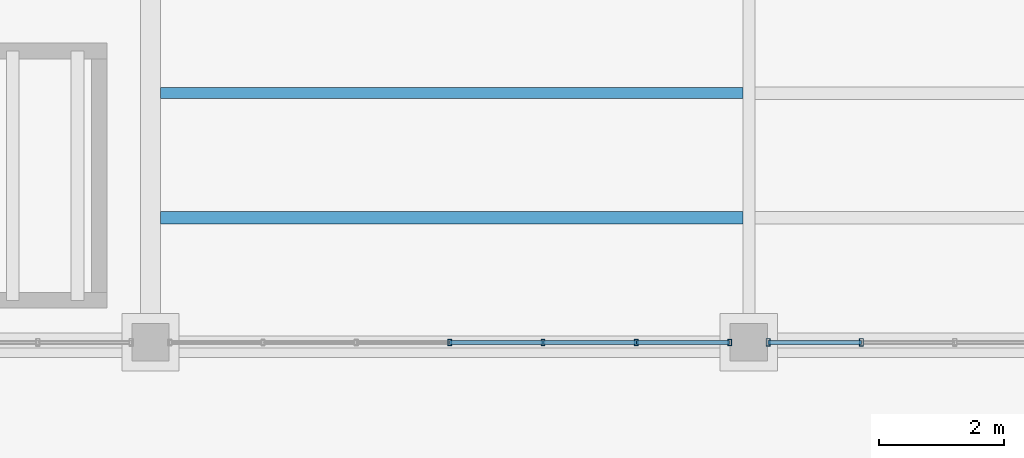
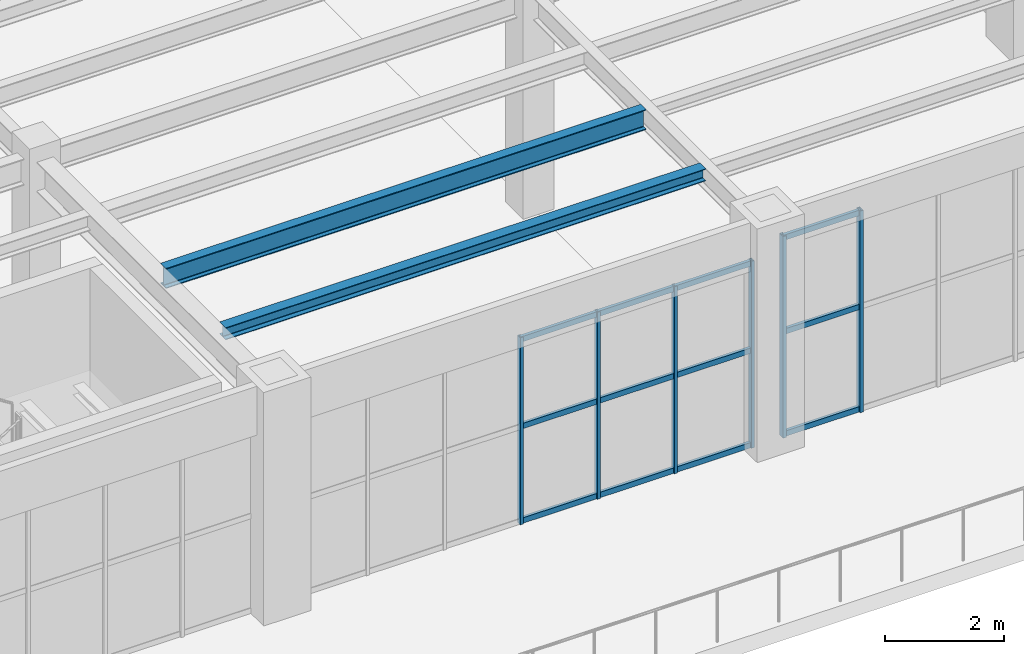
# One storey, part 35 of 83: 18 members, 2 beams, 2 elements without a shape of their own.
"""IFC4 building model written with IfcOpenShell, lengths in metres."""

from ifc_helpers import new_model, si_unit, direction, frame, origin, origin_2d, place, context, subcontext, project, spatial, hollow_rectangle, i_section, extrude, material, material_profile, profile_set, type_object, element, aggregate, save


model = new_model("IFC4")

# Units and contexts
model_context = context("Model", 3, precision=1e-05, world=origin(), true_north=direction((0.0, 1.0)))
body_context = subcontext(model_context, "Body", "Model", "MODEL_VIEW")
ifc_project = project(units=[si_unit("LENGTHUNIT", "METRE"), si_unit("AREAUNIT", "SQUARE_METRE"), si_unit("VOLUMEUNIT", "CUBIC_METRE"), si_unit("PLANEANGLEUNIT", "RADIAN"), si_unit("MASSUNIT", "GRAM", prefix="KILO")], contexts=[model_context])

# Site, building, storey
site_placement = place(None, origin())
site = spatial("IfcSite", under=ifc_project, at=site_placement, CompositionType="ELEMENT")
building_placement = place(site_placement, origin())
building = spatial("IfcBuilding", under=site, at=building_placement, Name="Mavantir Sound Aquarium", CompositionType="ELEMENT")
storey_placement = place(building_placement, frame((0.0, 0.0, 10.5)))
storey = spatial("IfcBuildingStorey", under=building, at=storey_placement, Name="L02", CompositionType="ELEMENT", Elevation=10.5)

# Beams
ifc_material_1 = material(Name="Structural Steel ASTM A992 Gr50", Category="steel")
ifc_material_profile_1 = material_profile(ifc_material_1, i_section(OverallWidth=0.202880859375, OverallDepth=0.251953125, WebThickness=0.008056640625, FlangeThickness=0.013427734375, FilletRadius=0.011962890625, at=origin_2d()), Name="W250X58")
ifc_profile_set_1 = profile_set([ifc_material_profile_1], Name="Structural Steel ASTM A992 Gr50")
beam_type_1 = type_object("IfcBeamType", Name="BM-W250X58-I", PredefinedType="JOIST", material=ifc_profile_set_1)
beam_1_placement = place(storey_placement, frame((156.162109375, 42.800048828125, 4.360107421875), z_axis=(1.0, 0.0, 0.0), x_axis=(0.0, 1.0, 0.0)))
element("IfcBeam", 1, at=beam_1_placement, inside=storey, type_object=beam_type_1, Name="L02 secondary floor joist SJ-25 900", PredefinedType="JOIST", context=body_context, shape_type="SweptSolid", body=[
    extrude(i_section(OverallWidth=0.202880859375, OverallDepth=0.251953125, WebThickness=0.008056640625, FlangeThickness=0.013427734375, FilletRadius=0.011962890625, at=origin_2d()), origin(), (0.0, 0.0, 1.0), 9.3408203125),
])
ifc_material_profile_2 = material_profile(ifc_material_1, i_section(OverallWidth=0.180908203125, OverallDepth=0.4169921875, WebThickness=0.010986328125, FlangeThickness=0.018310546875, FilletRadius=0.014892578125, at=origin_2d()), Name="W410X85")
ifc_profile_set_2 = profile_set([ifc_material_profile_2], Name="Structural Steel ASTM A992 Gr50")
beam_type_2 = type_object("IfcBeamType", Name="BM-W410X85-I", PredefinedType="JOIST", material=ifc_profile_set_2)
beam_2_placement = place(storey_placement, frame((156.162109375, 44.800048828125, 4.277587890625), z_axis=(1.0, 0.0, 0.0), x_axis=(0.0, 1.0, 0.0)))
element("IfcBeam", 2, at=beam_2_placement, inside=storey, type_object=beam_type_2, Name="L02 secondary floor joist SJ-41 901", PredefinedType="JOIST", context=body_context, shape_type="SweptSolid", body=[
    extrude(i_section(OverallWidth=0.180908203125, OverallDepth=0.4169921875, WebThickness=0.010986328125, FlangeThickness=0.018310546875, FilletRadius=0.014892578125, at=origin_2d()), origin(), (0.0, 0.0, 1.0), 9.3408203125),
])

# Curtain wall, members
ifc_material_2 = material(Name="Anodised Marine Aluminium and Low-E Glass", Category="aluminium")
curtain_wall_type_1 = type_object("IfcCurtainWallType", Name="CW-T17", PredefinedType="USERDEFINED", material=ifc_material_2)
curtain_wall_1_placement = place(storey_placement, origin())
curtain_wall_1 = element("IfcCurtainWall", 3, at=curtain_wall_1_placement, inside=storey, type_object=curtain_wall_type_1, Name="L02 unitised curtain wall CW-17 137", ObjectType="UNITISED GLAZING", PredefinedType="USERDEFINED")
ifc_material_3 = material(Name="Anodised Marine Aluminium 6063-T6", Category="aluminium")
ifc_material_profile_3 = material_profile(ifc_material_3, hollow_rectangle(XDim=0.06005859375, YDim=0.10009765625, WallThickness=0.00390625, at=origin_2d()), Name="ALU-MULLION-100X60")
ifc_profile_set_3 = profile_set([ifc_material_profile_3], Name="Anodised Marine Aluminium 6063-T6")
member_type_1 = type_object("IfcMemberType", Name="CW-MUL-100", PredefinedType="MULLION", material=ifc_profile_set_3)
member_1_placement = place(storey_placement, frame((160.800048828125, 40.800048828125, 0.0), z_axis=(0.0, 0.0, 1.0), x_axis=(1.0, 0.0, 0.0)))
member_1 = element("IfcMember", 4, at=member_1_placement, type_object=member_type_1, Name="CW-L02-137 vertical mullion 4", PredefinedType="MULLION", context=body_context, shape_type="SweptSolid", body=[
    extrude(hollow_rectangle(XDim=0.06005859375, YDim=0.10009765625, WallThickness=0.00390625, at=origin_2d()), origin(), (0.0, 0.0, 1.0), 3.844970703125),
])
member_2_placement = place(storey_placement, frame((162.29736328125, 40.800048828125, 0.0), z_axis=(0.0, 0.0, 1.0), x_axis=(1.0, 0.0, 0.0)))
member_2 = element("IfcMember", 5, at=member_2_placement, type_object=member_type_1, Name="CW-L02-137 vertical mullion 5", PredefinedType="MULLION", context=body_context, shape_type="SweptSolid", body=[
    extrude(hollow_rectangle(XDim=0.06005859375, YDim=0.10009765625, WallThickness=0.00390625, at=origin_2d()), origin(), (0.0, 0.0, 1.0), 3.844970703125),
])
member_3_placement = place(storey_placement, frame((163.794677734375, 40.800048828125, 0.0), z_axis=(0.0, 0.0, 1.0), x_axis=(1.0, 0.0, 0.0)))
member_3 = element("IfcMember", 6, at=member_3_placement, type_object=member_type_1, Name="CW-L02-137 vertical mullion 6", PredefinedType="MULLION", context=body_context, shape_type="SweptSolid", body=[
    extrude(hollow_rectangle(XDim=0.06005859375, YDim=0.10009765625, WallThickness=0.00390625, at=origin_2d()), origin(), (0.0, 0.0, 1.0), 3.844970703125),
])
member_4_placement = place(storey_placement, frame((165.2919921875, 40.800048828125, 0.0), z_axis=(0.0, 0.0, 1.0), x_axis=(1.0, 0.0, 0.0)))
member_4 = element("IfcMember", 7, at=member_4_placement, type_object=member_type_1, Name="CW-L02-137 vertical mullion 7", PredefinedType="MULLION", context=body_context, shape_type="SweptSolid", body=[
    extrude(hollow_rectangle(XDim=0.06005859375, YDim=0.10009765625, WallThickness=0.00390625, at=origin_2d()), origin(), (0.0, 0.0, 1.0), 3.844970703125),
])

curtain_wall_type_2 = type_object("IfcCurtainWallType", Name="CW-T18", PredefinedType="USERDEFINED", material=ifc_material_2)
curtain_wall_2_placement = place(storey_placement, origin())
curtain_wall_2 = element("IfcCurtainWall", 8, at=curtain_wall_2_placement, inside=storey, type_object=curtain_wall_type_2, Name="L02 unitised curtain wall CW-18 138", ObjectType="UNITISED GLAZING", PredefinedType="USERDEFINED")
ifc_material_profile_4 = material_profile(ifc_material_3, hollow_rectangle(XDim=0.06494140625, YDim=0.1201171875, WallThickness=0.00390625, at=origin_2d()), Name="ALU-MULLION-120X65")
ifc_profile_set_4 = profile_set([ifc_material_profile_4], Name="Anodised Marine Aluminium 6063-T6")
member_type_2 = type_object("IfcMemberType", Name="CW-MUL-120", PredefinedType="MULLION", material=ifc_profile_set_4)
member_5_placement = place(storey_placement, frame((165.907958984375, 40.800048828125, 0.0), z_axis=(0.0, 0.0, 1.0), x_axis=(1.0, 0.0, 0.0)))
member_5 = element("IfcMember", 9, at=member_5_placement, type_object=member_type_2, Name="CW-L02-138 vertical mullion 1", PredefinedType="MULLION", context=body_context, shape_type="SweptSolid", body=[
    extrude(hollow_rectangle(XDim=0.06494140625, YDim=0.1201171875, WallThickness=0.00390625, at=origin_2d()), origin(), (0.0, 0.0, 1.0), 4.14794921875),
])
member_6_placement = place(storey_placement, frame((167.4052734375, 40.800048828125, 0.0), z_axis=(0.0, 0.0, 1.0), x_axis=(1.0, 0.0, 0.0)))
member_6 = element("IfcMember", 10, at=member_6_placement, type_object=member_type_2, Name="CW-L02-138 vertical mullion 2", PredefinedType="MULLION", context=body_context, shape_type="SweptSolid", body=[
    extrude(hollow_rectangle(XDim=0.06494140625, YDim=0.1201171875, WallThickness=0.00390625, at=origin_2d()), origin(), (0.0, 0.0, 1.0), 4.14794921875),
])

# Member
ifc_material_profile_5 = material_profile(ifc_material_3, hollow_rectangle(XDim=0.06005859375, YDim=0.110107421875, WallThickness=0.00390625, at=origin_2d()), Name="ALU-TRANSOM-110X60")
ifc_profile_set_5 = profile_set([ifc_material_profile_5], Name="Anodised Marine Aluminium 6063-T6")
member_type_3 = type_object("IfcMemberType", Name="CW-TRN-110", PredefinedType="USERDEFINED", material=ifc_profile_set_5)
member_7_placement = place(storey_placement, frame((160.800048828125, 40.800048828125, 0.054931640625), z_axis=(1.0, 0.0, 0.0), x_axis=(0.0, 1.0, 0.0)))
member_7 = element("IfcMember", 11, at=member_7_placement, type_object=member_type_3, Name="CW-L02-137 transom 4.1", ObjectType="TRANSOM", PredefinedType="USERDEFINED", context=body_context, shape_type="SweptSolid", body=[
    extrude(hollow_rectangle(XDim=0.06005859375, YDim=0.110107421875, WallThickness=0.00390625, at=origin_2d()), origin(), (0.0, 0.0, 1.0), 1.497314453125),
])

member_8_placement = place(storey_placement, frame((160.800048828125, 40.800048828125, 1.99951171875), z_axis=(1.0, 0.0, 0.0), x_axis=(0.0, 1.0, 0.0)))
member_8 = element("IfcMember", 12, at=member_8_placement, type_object=member_type_3, Name="CW-L02-137 transom 4.2", ObjectType="TRANSOM", PredefinedType="USERDEFINED", context=body_context, shape_type="SweptSolid", body=[
    extrude(hollow_rectangle(XDim=0.06005859375, YDim=0.110107421875, WallThickness=0.00390625, at=origin_2d()), origin(), (0.0, 0.0, 1.0), 1.497314453125),
])

member_9_placement = place(storey_placement, frame((160.800048828125, 40.800048828125, 3.7900390625), z_axis=(1.0, 0.0, 0.0), x_axis=(0.0, 1.0, 0.0)))
member_9 = element("IfcMember", 13, at=member_9_placement, type_object=member_type_3, Name="CW-L02-137 transom 4.3", ObjectType="TRANSOM", PredefinedType="USERDEFINED", context=body_context, shape_type="SweptSolid", body=[
    extrude(hollow_rectangle(XDim=0.06005859375, YDim=0.110107421875, WallThickness=0.00390625, at=origin_2d()), origin(), (0.0, 0.0, 1.0), 1.497314453125),
])

member_10_placement = place(storey_placement, frame((162.29736328125, 40.800048828125, 0.054931640625), z_axis=(1.0, 0.0, 0.0), x_axis=(0.0, 1.0, 0.0)))
member_10 = element("IfcMember", 14, at=member_10_placement, type_object=member_type_3, Name="CW-L02-137 transom 5.1", ObjectType="TRANSOM", PredefinedType="USERDEFINED", context=body_context, shape_type="SweptSolid", body=[
    extrude(hollow_rectangle(XDim=0.06005859375, YDim=0.110107421875, WallThickness=0.00390625, at=origin_2d()), origin(), (0.0, 0.0, 1.0), 1.497314453125),
])

member_11_placement = place(storey_placement, frame((162.29736328125, 40.800048828125, 1.99951171875), z_axis=(1.0, 0.0, 0.0), x_axis=(0.0, 1.0, 0.0)))
member_11 = element("IfcMember", 15, at=member_11_placement, type_object=member_type_3, Name="CW-L02-137 transom 5.2", ObjectType="TRANSOM", PredefinedType="USERDEFINED", context=body_context, shape_type="SweptSolid", body=[
    extrude(hollow_rectangle(XDim=0.06005859375, YDim=0.110107421875, WallThickness=0.00390625, at=origin_2d()), origin(), (0.0, 0.0, 1.0), 1.497314453125),
])

member_12_placement = place(storey_placement, frame((162.29736328125, 40.800048828125, 3.7900390625), z_axis=(1.0, 0.0, 0.0), x_axis=(0.0, 1.0, 0.0)))
member_12 = element("IfcMember", 16, at=member_12_placement, type_object=member_type_3, Name="CW-L02-137 transom 5.3", ObjectType="TRANSOM", PredefinedType="USERDEFINED", context=body_context, shape_type="SweptSolid", body=[
    extrude(hollow_rectangle(XDim=0.06005859375, YDim=0.110107421875, WallThickness=0.00390625, at=origin_2d()), origin(), (0.0, 0.0, 1.0), 1.497314453125),
])

member_13_placement = place(storey_placement, frame((163.794677734375, 40.800048828125, 0.054931640625), z_axis=(1.0, 0.0, 0.0), x_axis=(0.0, 1.0, 0.0)))
member_13 = element("IfcMember", 17, at=member_13_placement, type_object=member_type_3, Name="CW-L02-137 transom 6.1", ObjectType="TRANSOM", PredefinedType="USERDEFINED", context=body_context, shape_type="SweptSolid", body=[
    extrude(hollow_rectangle(XDim=0.06005859375, YDim=0.110107421875, WallThickness=0.00390625, at=origin_2d()), origin(), (0.0, 0.0, 1.0), 1.497314453125),
])

member_14_placement = place(storey_placement, frame((163.794677734375, 40.800048828125, 1.99951171875), z_axis=(1.0, 0.0, 0.0), x_axis=(0.0, 1.0, 0.0)))
member_14 = element("IfcMember", 18, at=member_14_placement, type_object=member_type_3, Name="CW-L02-137 transom 6.2", ObjectType="TRANSOM", PredefinedType="USERDEFINED", context=body_context, shape_type="SweptSolid", body=[
    extrude(hollow_rectangle(XDim=0.06005859375, YDim=0.110107421875, WallThickness=0.00390625, at=origin_2d()), origin(), (0.0, 0.0, 1.0), 1.497314453125),
])

member_15_placement = place(storey_placement, frame((163.794677734375, 40.800048828125, 3.7900390625), z_axis=(1.0, 0.0, 0.0), x_axis=(0.0, 1.0, 0.0)))
member_15 = element("IfcMember", 19, at=member_15_placement, type_object=member_type_3, Name="CW-L02-137 transom 6.3", ObjectType="TRANSOM", PredefinedType="USERDEFINED", context=body_context, shape_type="SweptSolid", body=[
    extrude(hollow_rectangle(XDim=0.06005859375, YDim=0.110107421875, WallThickness=0.00390625, at=origin_2d()), origin(), (0.0, 0.0, 1.0), 1.497314453125),
])

aggregate(curtain_wall_1, [member_1, member_2, member_3, member_4, member_7, member_8, member_9, member_10, member_11, member_12, member_13, member_14, member_15])

member_16_placement = place(storey_placement, frame((165.907958984375, 40.800048828125, 0.054931640625), z_axis=(1.0, 0.0, 0.0), x_axis=(0.0, 1.0, 0.0)))
member_16 = element("IfcMember", 20, at=member_16_placement, type_object=member_type_3, Name="CW-L02-138 transom 1.1", ObjectType="TRANSOM", PredefinedType="USERDEFINED", context=body_context, shape_type="SweptSolid", body=[
    extrude(hollow_rectangle(XDim=0.06005859375, YDim=0.110107421875, WallThickness=0.00390625, at=origin_2d()), origin(), (0.0, 0.0, 1.0), 1.497314453125),
])

member_17_placement = place(storey_placement, frame((165.907958984375, 40.800048828125, 2.156982421875), z_axis=(1.0, 0.0, 0.0), x_axis=(0.0, 1.0, 0.0)))
member_17 = element("IfcMember", 21, at=member_17_placement, type_object=member_type_3, Name="CW-L02-138 transom 1.2", ObjectType="TRANSOM", PredefinedType="USERDEFINED", context=body_context, shape_type="SweptSolid", body=[
    extrude(hollow_rectangle(XDim=0.06005859375, YDim=0.110107421875, WallThickness=0.00390625, at=origin_2d()), origin(), (0.0, 0.0, 1.0), 1.497314453125),
])

member_18_placement = place(storey_placement, frame((165.907958984375, 40.800048828125, 4.093017578125), z_axis=(1.0, 0.0, 0.0), x_axis=(0.0, 1.0, 0.0)))
member_18 = element("IfcMember", 22, at=member_18_placement, type_object=member_type_3, Name="CW-L02-138 transom 1.3", ObjectType="TRANSOM", PredefinedType="USERDEFINED", context=body_context, shape_type="SweptSolid", body=[
    extrude(hollow_rectangle(XDim=0.06005859375, YDim=0.110107421875, WallThickness=0.00390625, at=origin_2d()), origin(), (0.0, 0.0, 1.0), 1.497314453125),
])

aggregate(curtain_wall_2, [member_5, member_6, member_16, member_17, member_18])

save(model, "model.ifc")
